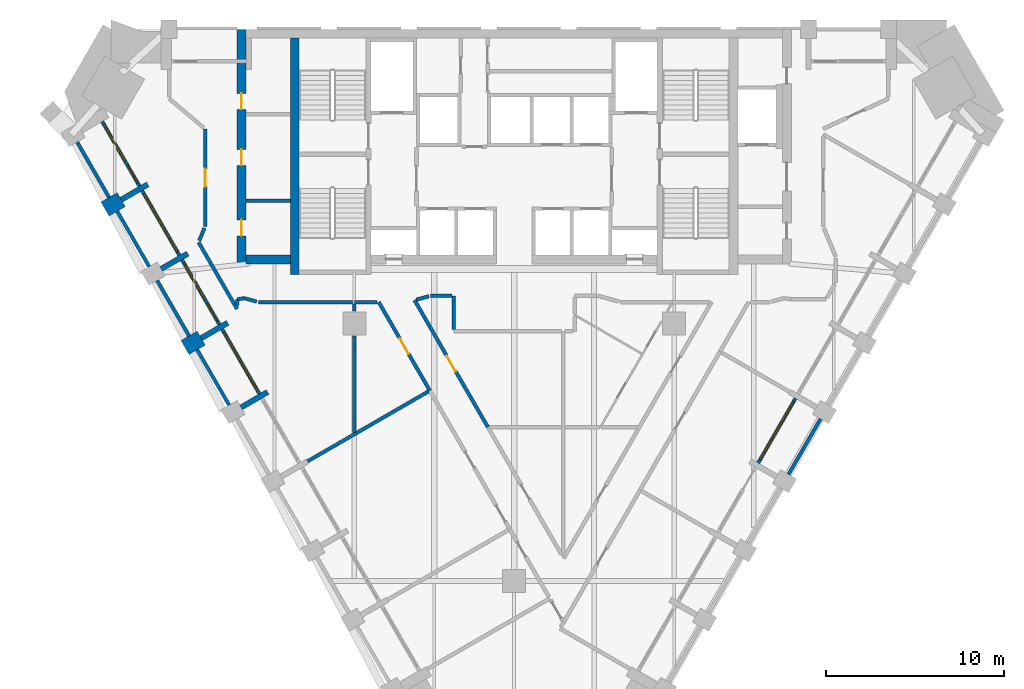
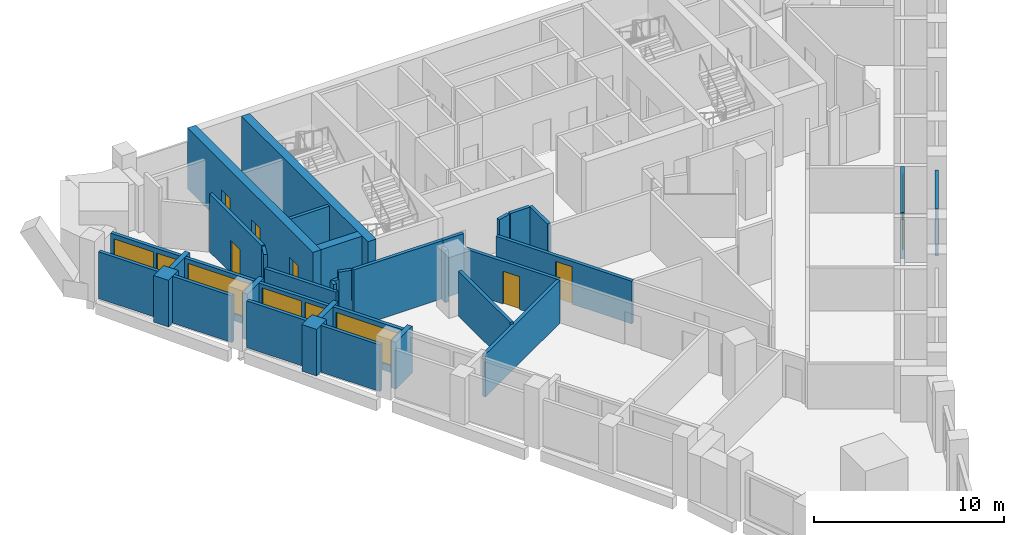
# One storey, part 4 of 9: 36 walls, 8 doors, 5 windows, 13 openings.
"""IFC4 building model written with IfcOpenShell, lengths in metres."""

from ifc_helpers import new_model, si_unit, direction, frame, frame_2d, origin, place, context, subcontext, project, spatial, rectangle, extrude, material, layer, layer_set, type_object, element, fill, save


model = new_model("IFC4")

# Units and contexts
model_context = context("Model", 3, precision=1e-05, world=origin(), true_north=direction((0.0, 1.0)))
body_context = subcontext(model_context, "Body", "Model", "MODEL_VIEW")
ifc_project = project(units=[si_unit("LENGTHUNIT", "METRE"), si_unit("AREAUNIT", "SQUARE_METRE"), si_unit("VOLUMEUNIT", "CUBIC_METRE"), si_unit("PLANEANGLEUNIT", "RADIAN"), si_unit("MASSUNIT", "GRAM", prefix="KILO")], contexts=[model_context])

# Site, building, storey
site_placement = place(None, origin())
site = spatial("IfcSite", under=ifc_project, at=site_placement, CompositionType="ELEMENT")
building_placement = place(site_placement, origin())
building = spatial("IfcBuilding", under=site, at=building_placement, Name="Calabash Gate Tower", CompositionType="ELEMENT")
storey_placement = place(building_placement, frame((0.0, 0.0, 179.699951171875)))
storey = spatial("IfcBuildingStorey", under=building, at=storey_placement, Name="L42", CompositionType="ELEMENT", Elevation=179.699951171875)

# Walls
ifc_material_1 = material(Name="Terracotta brick masonry, exposed face", Category="masonry")
ifc_layer_1 = layer(ifc_material_1, 1.050048828125)
ifc_layer_set_1 = layer_set([ifc_layer_1], Name="Brick end wall 1050")
wall_type_1 = type_object("IfcWallType", Name="Brick end wall 1050", PredefinedType="SOLIDWALL", material=ifc_layer_set_1)
for number, where, z_axis, x_axis, name in (
    (1, (-23.03271484375, 8.93505859375, 0.0), (0.0, 0.0, 1.0), (0.866088799389, 0.499890179513, 0.0), "Brick pier S12 SW0.1"),
    (2, (-17.623291015625, 1.665771484375, 0.0), (0.0, 0.0, 1.0), (-0.866088799389, -0.499890179513, 0.0), "Brick pier S12 SW0.3"),
):
    element("IfcWall", number, at=place(storey_placement, frame(where, z_axis=z_axis, x_axis=x_axis)), inside=storey, type_object=wall_type_1, Name=name, PredefinedType="SOLIDWALL", context=body_context, shape_type="SweptSolid", body=[
        extrude(rectangle(XDim=1.050048828125, YDim=0.89990234375, at=frame_2d((0.52490234375, 0.0))), origin(), (0.0, 0.0, 1.0), 3.0),
    ])
ifc_material_2 = material(Name="Terracotta brick masonry, exposed face", Category="masonry")
ifc_layer_2 = layer(ifc_material_2, 0.300048828125)
ifc_layer_set_2 = layer_set([ifc_layer_2], Name="Brick loggia cheek wall 300")
wall_type_2 = type_object("IfcWallType", Name="Brick loggia cheek wall 300", PredefinedType="SOLIDWALL", material=ifc_layer_set_2)
wall_1_placement = place(storey_placement, frame((-22.123291015625, 9.4599609375, 0.0), z_axis=(0.0, 0.0, 1.0), x_axis=(0.866013532718, 0.500020560727, 0.0)))
element("IfcWall", 3, at=wall_1_placement, inside=storey, type_object=wall_type_2, Name="Loggia cheek S12 SW0.1", PredefinedType="SOLIDWALL", context=body_context, shape_type="SweptSolid", body=[
    extrude(rectangle(XDim=1.72509765625, YDim=0.300048828125, at=frame_2d((0.862548828125, 0.0))), origin(), (0.0, 0.0, 1.0), 3.0),
])
wall_2_placement = place(storey_placement, frame((-19.873291015625, 5.56298828125, 0.0), z_axis=(0.0, 0.0, 1.0), x_axis=(0.866013532718, 0.500020560727, 0.0)))
element("IfcWall", 4, at=wall_2_placement, inside=storey, type_object=wall_type_2, Name="Loggia cheek S12 SW0.2", PredefinedType="SOLIDWALL", context=body_context, shape_type="SweptSolid", body=[
    extrude(rectangle(XDim=1.72509765625, YDim=0.300048828125, at=frame_2d((0.862548828125, 0.0))), origin(), (0.0, 0.0, 1.0), 2.9501953125),
])
wall_3_placement = place(storey_placement, frame((-17.623291015625, 1.665771484375, 0.0), z_axis=(0.0, 0.0, 1.0), x_axis=(0.866013532718, 0.500020560727, 0.0)))
element("IfcWall", 5, at=wall_3_placement, inside=storey, type_object=wall_type_2, Name="Loggia cheek S12 SW0.3", PredefinedType="SOLIDWALL", context=body_context, shape_type="SweptSolid", body=[
    extrude(rectangle(XDim=1.72509765625, YDim=0.300048828125, at=frame_2d((0.862548828125, 0.0))), origin(), (0.0, 0.0, 1.0), 3.0),
])
wall_4_placement = place(storey_placement, frame((-15.373291015625, -2.231201171875, 0.0), z_axis=(0.0, 0.0, 1.0), x_axis=(0.866074815912, 0.499914405916, 0.0)))
element("IfcWall", 6, at=wall_4_placement, inside=storey, type_object=wall_type_2, Name="Loggia cheek S12 SW0.4", PredefinedType="SOLIDWALL", context=body_context, shape_type="SweptSolid", body=[
    extrude(rectangle(XDim=1.724853515625, YDim=0.300048828125, at=frame_2d((0.8623046875, 0.0))), origin(), (0.0, 0.0, 1.0), 3.0),
])
ifc_material_3 = material(Name="Gypsum board on steel studs, mineral wool", Category="steel")
ifc_layer_3 = layer(ifc_material_3, 0.199951171875)
ifc_layer_set_3 = layer_set([ifc_layer_3], Name="Core partition 200 gypsum board")
wall_type_3 = type_object("IfcWallType", Name="Core partition 200 gypsum board", PredefinedType="PARTITIONING", material=ifc_layer_set_3)
wall_5_placement = place(storey_placement, frame((-15.10009765625, 9.402587890625, 0.0), z_axis=(0.0, 0.0, 1.0), x_axis=(1.0, 0.0, 0.0)))
element("IfcWall", 7, at=wall_5_placement, inside=storey, type_object=wall_type_3, Name="Core partition", PredefinedType="PARTITIONING", context=body_context, shape_type="SweptSolid", body=[
    extrude(rectangle(XDim=2.5, YDim=0.199951171875, at=frame_2d((1.25, 0.0))), origin(), (0.0, 0.0, 1.0), 3.72998046875),
])
ifc_material_4 = material(Name="Concrete C70/85", Category="concrete")
ifc_layer_4 = layer(ifc_material_4, 0.5)
ifc_layer_set_4 = layer_set([ifc_layer_4], Name="Core wall 500 Concrete C70/85")
wall_type_4 = type_object("IfcWallType", Name="Core wall 500 Concrete C70/85", PredefinedType="SHEAR", material=ifc_layer_set_4)
wall_6_placement = place(storey_placement, frame((-12.35009765625, 5.252685546875, 0.0), z_axis=(0.0, 0.0, 1.0), x_axis=(0.0, 1.0, 0.0)))
element("IfcWall", 8, at=wall_6_placement, inside=storey, type_object=wall_type_4, Name="Core wall Z3-COLW L42", PredefinedType="SHEAR", context=body_context, shape_type="SweptSolid", body=[
    extrude(rectangle(XDim=13.2998046875, YDim=0.5, at=frame_2d((6.64990234375, 0.0))), origin(), (0.0, 0.0, 1.0), 3.900146484375),
])
wall_7_placement = place(storey_placement, frame((-12.60009765625, 6.1025390625, 0.0), z_axis=(0.0, 0.0, 1.0), x_axis=(-1.0, 0.0, 0.0)))
element("IfcWall", 9, at=wall_7_placement, inside=storey, type_object=wall_type_4, Name="Core wall Z3-SW L42", PredefinedType="SHEAR", context=body_context, shape_type="SweptSolid", body=[
    extrude(rectangle(XDim=2.5, YDim=0.5, at=frame_2d((1.25, 0.0))), origin(), (0.0, 0.0, 1.0), 3.900146484375),
])

# Wall, openings, doors
wall_8_placement = place(storey_placement, frame((-15.35009765625, 5.8525390625, 0.0), z_axis=(0.0, 0.0, 1.0), x_axis=(0.0, 1.0, 0.0)))
wall_8 = element("IfcWall", 10, at=wall_8_placement, inside=storey, type_object=wall_type_4, Name="Core wall Z3-ENDW L42", PredefinedType="SHEAR", context=body_context, shape_type="SweptSolid", body=[
    extrude(rectangle(XDim=13.199951171875, YDim=0.5, at=frame_2d((6.60009765625, 0.0))), origin(), (0.0, 0.0, 1.0), 3.900146484375),
])
opening_1_placement = place(wall_8_placement, frame((1.574951171875, 0.0, 0.0)))
opening_1 = element("IfcOpeningElement", 11, at=opening_1_placement, cuts=wall_8, Name="Opening O4-004", PredefinedType="OPENING", context=body_context, shape_type="SweptSolid", body=[
    extrude(rectangle(XDim=0.89990234375, YDim=2.10009765625, at=frame_2d((0.449951171875, 1.050048828125))), frame((0.0, 0.260009765625, 0.0), z_axis=(0.0, -1.0, 0.0), x_axis=(1.0, 0.0, 0.0)), (0.0, 0.0, 1.0), 0.52001953125),
])
opening_2_placement = place(wall_8_placement, frame((5.5400390625, 0.0, 0.0)))
opening_2 = element("IfcOpeningElement", 12, at=opening_2_placement, cuts=wall_8, Name="Opening O4-005", PredefinedType="OPENING", context=body_context, shape_type="SweptSolid", body=[
    extrude(rectangle(XDim=0.89990234375, YDim=2.10009765625, at=frame_2d((0.449951171875, 1.050048828125))), frame((0.0, 0.260009765625, 0.0), z_axis=(0.0, -1.0, 0.0), x_axis=(1.0, 0.0, 0.0)), (0.0, 0.0, 1.0), 0.52001953125),
])
opening_3_placement = place(wall_8_placement, frame((8.697509765625, 0.0, 0.0)))
opening_3 = element("IfcOpeningElement", 13, at=opening_3_placement, cuts=wall_8, Name="Opening O4-006", PredefinedType="OPENING", context=body_context, shape_type="SweptSolid", body=[
    extrude(rectangle(XDim=0.89990234375, YDim=2.10009765625, at=frame_2d((0.449951171875, 1.050048828125))), frame((0.0, 0.260009765625, 0.0), z_axis=(0.0, -1.0, 0.0), x_axis=(1.0, 0.0, 0.0)), (0.0, 0.0, 1.0), 0.52001953125),
])
ifc_material_5 = material(Name="Steel fire door set with fire-resisting glazing", Category="steel")
door_type_1 = type_object("IfcDoorType", Name="Fire door D06 900x2100 FD60", OperationType="NOTDEFINED", PredefinedType="DOOR", material=ifc_material_5)
door_1_placement = place(opening_1_placement, origin())
door_1 = element("IfcDoor", 14, at=door_1_placement, inside=storey, type_object=door_type_1, Name="Meter Room door", OperationType="SINGLE_SWING_LEFT", OverallHeight=2.10009765625, OverallWidth=0.89990234375, PredefinedType="DOOR", context=body_context, shape_type="SweptSolid", body=[
    extrude(rectangle(XDim=0.89990234375, YDim=2.10009765625, at=frame_2d((0.449951171875, 1.050048828125))), frame((0.0, 0.02490234375, 0.0), z_axis=(0.0, -1.0, 0.0), x_axis=(1.0, 0.0, 0.0)), (0.0, 0.0, 1.0), 0.050048828125),
])
fill(opening_1, door_1)
door_2_placement = place(opening_2_placement, origin())
door_2 = element("IfcDoor", 15, at=door_2_placement, inside=storey, type_object=door_type_1, Name="Men's WC door", OperationType="SINGLE_SWING_LEFT", OverallHeight=2.10009765625, OverallWidth=0.89990234375, PredefinedType="DOOR", context=body_context, shape_type="SweptSolid", body=[
    extrude(rectangle(XDim=0.89990234375, YDim=2.10009765625, at=frame_2d((0.449951171875, 1.050048828125))), frame((0.0, 0.02490234375, 0.0), z_axis=(0.0, -1.0, 0.0), x_axis=(1.0, 0.0, 0.0)), (0.0, 0.0, 1.0), 0.050048828125),
])
fill(opening_2, door_2)
door_3_placement = place(opening_3_placement, origin())
door_3 = element("IfcDoor", 16, at=door_3_placement, inside=storey, type_object=door_type_1, Name="Women's WC door", OperationType="SINGLE_SWING_LEFT", OverallHeight=2.10009765625, OverallWidth=0.89990234375, PredefinedType="DOOR", context=body_context, shape_type="SweptSolid", body=[
    extrude(rectangle(XDim=0.89990234375, YDim=2.10009765625, at=frame_2d((0.449951171875, 1.050048828125))), frame((0.0, 0.02490234375, 0.0), z_axis=(0.0, -1.0, 0.0), x_axis=(1.0, 0.0, 0.0)), (0.0, 0.0, 1.0), 0.050048828125),
])
fill(opening_3, door_3)

# Walls
ifc_material_6 = material(Name="Gypsum board on steel studs, mineral wool", Category="steel")
ifc_layer_5 = layer(ifc_material_6, 0.199951171875)
ifc_layer_set_5 = layer_set([ifc_layer_5], Name="Partition 200 gypsum board EI 60")
wall_type_5 = type_object("IfcWallType", Name="Partition 200 gypsum board EI 60", PredefinedType="PARTITIONING", material=ifc_layer_set_5)
wall_9_placement = place(storey_placement, frame((-11.629638671875, -5.265380859375, 0.0), z_axis=(0.0, 0.0, 1.0), x_axis=(0.865784523432, 0.500416985109, 0.0)))
element("IfcWall", 17, at=wall_9_placement, inside=storey, type_object=wall_type_5, Name="Partition", PredefinedType="PARTITIONING", context=body_context, shape_type="SweptSolid", body=[
    extrude(rectangle(XDim=7.849365234375, YDim=0.199951171875, at=frame_2d((3.9248046875, 0.0))), origin(), (0.0, 0.0, 1.0), 2.74169921875),
])
wall_10_placement = place(storey_placement, frame((-9.001708984375, -3.646484375, 0.0), z_axis=(0.0, 0.0, 1.0), x_axis=(0.000268949741, 0.999999963833, 0.0)))
element("IfcWall", 18, at=wall_10_placement, inside=storey, type_object=wall_type_5, Name="Partition", PredefinedType="PARTITIONING", context=body_context, shape_type="SweptSolid", body=[
    extrude(rectangle(XDim=5.446533203125, YDim=0.199951171875, at=frame_2d((2.72314453125, 0.0))), origin(), (0.0, 0.0, 1.0), 2.884033203125),
])

# Wall, opening, door
wall_11_placement = place(storey_placement, frame((-7.626220703125, 3.699462890625, 0.0), z_axis=(0.0, 0.0, 1.0), x_axis=(0.499998744741, -0.866026128507, 0.0)))
wall_11 = element("IfcWall", 19, at=wall_11_placement, inside=storey, type_object=wall_type_5, Name="Partition", PredefinedType="PARTITIONING", context=body_context, shape_type="SweptSolid", body=[
    extrude(rectangle(XDim=5.76220703125, YDim=0.199951171875, at=frame_2d((2.881103515625, 0.0))), origin(), (0.0, 0.0, 1.0), 2.74169921875),
])
opening_4_placement = place(wall_11_placement, frame((2.381103515625, 0.0, 0.0)))
opening_4 = element("IfcOpeningElement", 20, at=opening_4_placement, cuts=wall_11, Name="Opening 42-44-012", PredefinedType="OPENING", context=body_context, shape_type="SweptSolid", body=[
    extrude(rectangle(XDim=1.0, YDim=2.10009765625, at=frame_2d((0.5, 1.050048828125))), frame((0.0, 0.10986328125, 0.0), z_axis=(0.0, -1.0, 0.0), x_axis=(1.0, 0.0, 0.0)), (0.0, 0.0, 1.0), 0.219970703125),
])
ifc_material_7 = material(Name="Steel fire door set with fire-resisting glazing", Category="steel")
door_type_2 = type_object("IfcDoorType", Name="LD2 Meeting room door 1000x2100", OperationType="NOTDEFINED", PredefinedType="DOOR", material=ifc_material_7)
door_4_placement = place(opening_4_placement, origin())
door_4 = element("IfcDoor", 21, at=door_4_placement, inside=storey, type_object=door_type_2, Name="Meeting room door", OperationType="SINGLE_SWING_LEFT", OverallHeight=2.10009765625, OverallWidth=1.0, PredefinedType="DOOR", context=body_context, shape_type="SweptSolid", body=[
    extrude(rectangle(XDim=1.0, YDim=2.10009765625, at=frame_2d((0.5, 1.050048828125))), frame((0.0, 0.02490234375, 0.0), z_axis=(0.0, -1.0, 0.0), x_axis=(1.0, 0.0, 0.0)), (0.0, 0.0, 1.0), 0.050048828125),
])
fill(opening_4, door_4)

# Walls
wall_12_placement = place(storey_placement, frame((-3.402099609375, 4.050537109375, 0.0), z_axis=(0.0, 0.0, 1.0), x_axis=(0.001028938362, -0.999999470643, 0.0)))
element("IfcWall", 22, at=wall_12_placement, inside=storey, type_object=wall_type_5, Name="Partition", PredefinedType="PARTITIONING", context=body_context, shape_type="SweptSolid", body=[
    extrude(rectangle(XDim=1.898193359375, YDim=0.199951171875, at=frame_2d((0.94921875, 0.0))), origin(), (0.0, 0.0, 1.0), 3.72998046875),
])
wall_13_placement = place(storey_placement, frame((-9.001708984375, 3.599609375, 0.0), z_axis=(0.0, 0.0, 1.0), x_axis=(0.003665216676, -0.999993283071, 0.0)))
element("IfcWall", 23, at=wall_13_placement, inside=storey, type_object=wall_type_5, Name="Partition", PredefinedType="PARTITIONING", context=body_context, shape_type="SweptSolid", body=[
    extrude(rectangle(XDim=0.399658203125, YDim=0.199951171875, at=frame_2d((0.19970703125, 0.0))), origin(), (0.0, 0.0, 1.0), 3.33154296875),
])
wall_14_placement = place(storey_placement, frame((-17.7666015625, 7.06298828125, 0.0), z_axis=(0.0, 0.0, 1.0), x_axis=(0.500011878817, -0.866018545437, 0.0)))
element("IfcWall", 24, at=wall_14_placement, inside=storey, type_object=wall_type_5, Name="Partition", PredefinedType="PARTITIONING", context=body_context, shape_type="SweptSolid", body=[
    extrude(rectangle(XDim=4.33251953125, YDim=0.199951171875, at=frame_2d((2.166259765625, 0.0))), origin(), (0.0, 0.0, 1.0), 2.9501953125),
])
wall_15_placement = place(storey_placement, frame((-14.39990234375, 3.699462890625, 0.0), z_axis=(0.0, 0.0, 1.0), x_axis=(0.999999963202, -0.000271284522, 0.0)))
element("IfcWall", 25, at=wall_15_placement, inside=storey, type_object=wall_type_5, Name="Partition", PredefinedType="PARTITIONING", context=body_context, shape_type="SweptSolid", body=[
    extrude(rectangle(XDim=5.399658203125, YDim=0.199951171875, at=frame_2d((2.69970703125, 0.0))), origin(), (0.0, 0.0, 1.0), 3.72998046875),
])
wall_16_placement = place(storey_placement, frame((-9.0, 3.697998046875, 0.0), z_axis=(0.0, 0.0, 1.0), x_axis=(0.999999338651, 0.001150085496, 0.0)))
element("IfcWall", 26, at=wall_16_placement, inside=storey, type_object=wall_type_5, Name="Partition", PredefinedType="PARTITIONING", context=body_context, shape_type="SweptSolid", body=[
    extrude(rectangle(XDim=1.273681640625, YDim=0.199951171875, at=frame_2d((0.63671875, 0.0))), origin(), (0.0, 0.0, 1.0), 3.72998046875),
])
wall_17_placement = place(storey_placement, frame((-15.193359375, 3.91455078125, 0.0), z_axis=(0.0, 0.0, 1.0), x_axis=(0.965137431954, -0.26174364833, 0.0)))
element("IfcWall", 27, at=wall_17_placement, inside=storey, type_object=wall_type_5, Name="Partition", PredefinedType="PARTITIONING", context=body_context, shape_type="SweptSolid", body=[
    extrude(rectangle(XDim=0.721923828125, YDim=0.199951171875, at=frame_2d((0.36083984375, 0.0))), origin(), (0.0, 0.0, 1.0), 3.72998046875),
])

# Wall, opening, door
wall_18_placement = place(storey_placement, frame((-5.6083984375, 3.805908203125, 0.0), z_axis=(0.0, 0.0, 1.0), x_axis=(0.500189366784, -0.865916045212, 0.0)))
wall_18 = element("IfcWall", 28, at=wall_18_placement, inside=storey, type_object=wall_type_5, Name="Partition", PredefinedType="PARTITIONING", context=body_context, shape_type="SweptSolid", body=[
    extrude(rectangle(XDim=8.252197265625, YDim=0.199951171875, at=frame_2d((4.1259765625, 0.0))), origin(), (0.0, 0.0, 1.0), 2.74169921875),
])
opening_5_placement = place(wall_18_placement, frame((3.62548828125, 0.0, 0.0)))
opening_5 = element("IfcOpeningElement", 29, at=opening_5_placement, cuts=wall_18, Name="Opening 42-44-006", PredefinedType="OPENING", context=body_context, shape_type="SweptSolid", body=[
    extrude(rectangle(XDim=1.0, YDim=2.39990234375, at=frame_2d((0.5, 1.199951171875))), frame((0.0, 0.10986328125, 0.0), z_axis=(0.0, -1.0, 0.0), x_axis=(1.0, 0.0, 0.0)), (0.0, 0.0, 1.0), 0.219970703125),
])
ifc_material_8 = material(Name="Painted timber door", Category="wood")
door_type_3 = type_object("IfcDoorType", Name="OD2 Glazed office door 1000x2400", OperationType="NOTDEFINED", PredefinedType="DOOR", material=ifc_material_8)
door_5_placement = place(opening_5_placement, origin())
door_5 = element("IfcDoor", 30, at=door_5_placement, inside=storey, type_object=door_type_3, Name="Glazed office door", OperationType="SINGLE_SWING_LEFT", OverallHeight=2.39990234375, OverallWidth=1.0, PredefinedType="DOOR", context=body_context, shape_type="SweptSolid", body=[
    extrude(rectangle(XDim=1.0, YDim=2.39990234375, at=frame_2d((0.5, 1.199951171875))), frame((0.0, 0.02490234375, 0.0), z_axis=(0.0, -1.0, 0.0), x_axis=(1.0, 0.0, 0.0)), (0.0, 0.0, 1.0), 0.050048828125),
])
fill(opening_5, door_5)

# Walls
wall_19_placement = place(storey_placement, frame((-15.60009765625, 3.510498046875, 0.0), z_axis=(0.0, 0.0, 1.0), x_axis=(0.001429591105, 0.999998978134, 0.0)))
element("IfcWall", 31, at=wall_19_placement, inside=storey, type_object=wall_type_5, Name="Partition", PredefinedType="PARTITIONING", context=body_context, shape_type="SweptSolid", body=[
    extrude(rectangle(XDim=0.341552734375, YDim=0.199951171875, at=frame_2d((0.1708984375, 0.0))), origin(), (0.0, 0.0, 1.0), 3.2822265625),
])
wall_20_placement = place(storey_placement, frame((-15.599609375, 3.85205078125, 0.0), z_axis=(0.0, 0.0, 1.0), x_axis=(0.988371697651, 0.152057184254, 0.0)))
element("IfcWall", 32, at=wall_20_placement, inside=storey, type_object=wall_type_5, Name="Partition", PredefinedType="PARTITIONING", context=body_context, shape_type="SweptSolid", body=[
    extrude(rectangle(XDim=0.4111328125, YDim=0.199951171875, at=frame_2d((0.20556640625, 0.0))), origin(), (0.0, 0.0, 1.0), 3.2822265625),
])
wall_21_placement = place(storey_placement, frame((-5.511962890625, 3.83203125, 0.0), z_axis=(0.0, 0.0, 1.0), x_axis=(0.965127638193, 0.261779758568, 0.0)))
element("IfcWall", 33, at=wall_21_placement, inside=storey, type_object=wall_type_5, Name="Partition", PredefinedType="PARTITIONING", context=body_context, shape_type="SweptSolid", body=[
    extrude(rectangle(XDim=0.741455078125, YDim=0.199951171875, at=frame_2d((0.37060546875, 0.0))), origin(), (0.0, 0.0, 1.0), 3.72998046875),
])
wall_22_placement = place(storey_placement, frame((-4.699951171875, 4.052490234375, 0.0), z_axis=(0.0, 0.0, 1.0), x_axis=(0.999998982503, -0.001426532072, 0.0)))
element("IfcWall", 34, at=wall_22_placement, inside=storey, type_object=wall_type_5, Name="Partition", PredefinedType="PARTITIONING", context=body_context, shape_type="SweptSolid", body=[
    extrude(rectangle(XDim=1.197998046875, YDim=0.199951171875, at=frame_2d((0.59912109375, 0.0))), origin(), (0.0, 0.0, 1.0), 3.72998046875),
])
wall_23_placement = place(storey_placement, frame((-17.728515625, 7.155517578125, 0.0), z_axis=(0.0, 0.0, 1.0), x_axis=(0.380379071784, 0.924830666527, 0.0)))
element("IfcWall", 35, at=wall_23_placement, inside=storey, type_object=wall_type_5, Name="Partition", PredefinedType="PARTITIONING", context=body_context, shape_type="SweptSolid", body=[
    extrude(rectangle(XDim=0.761962890625, YDim=0.199951171875, at=frame_2d((0.380859375, 0.0))), origin(), (0.0, 0.0, 1.0), 3.72998046875),
])

# Wall, opening, door
wall_24_placement = place(storey_placement, frame((-17.400390625, 7.95263671875, 0.0), z_axis=(0.0, 0.0, 1.0), x_axis=(0.0, 1.0, 0.0)))
wall_24 = element("IfcWall", 36, at=wall_24_placement, inside=storey, type_object=wall_type_5, Name="Partition", PredefinedType="PARTITIONING", context=body_context, shape_type="SweptSolid", body=[
    extrude(rectangle(XDim=5.499755859375, YDim=0.199951171875, at=frame_2d((2.75, 0.0))), origin(), (0.0, 0.0, 1.0), 3.72998046875),
])
opening_6_placement = place(wall_24_placement, frame((2.249755859375, 0.0, 0.0)))
opening_6 = element("IfcOpeningElement", 37, at=opening_6_placement, cuts=wall_24, Name="Opening 42-44-013", PredefinedType="OPENING", context=body_context, shape_type="SweptSolid", body=[
    extrude(rectangle(XDim=1.0, YDim=2.10009765625, at=frame_2d((0.5, 1.050048828125))), frame((0.0, 0.10986328125, 0.0), z_axis=(0.0, -1.0, 0.0), x_axis=(1.0, 0.0, 0.0)), (0.0, 0.0, 1.0), 0.219970703125),
])
door_6_placement = place(opening_6_placement, origin())
door_6 = element("IfcDoor", 38, at=door_6_placement, inside=storey, type_object=door_type_2, Name="Meeting room door", OperationType="SINGLE_SWING_RIGHT", OverallHeight=2.10009765625, OverallWidth=1.0, PredefinedType="DOOR", context=body_context, shape_type="SweptSolid", body=[
    extrude(rectangle(XDim=1.0, YDim=2.10009765625, at=frame_2d((0.5, 1.050048828125))), frame((0.0, 0.02490234375, 0.0), z_axis=(0.0, -1.0, 0.0), x_axis=(1.0, 0.0, 0.0)), (0.0, 0.0, 1.0), 0.050048828125),
])
fill(opening_6, door_6)

# Walls
ifc_material_9 = material(Name="Terracotta brick masonry, perforated", Category="masonry")
ifc_layer_6 = layer(ifc_material_9, 0.199951171875)
ifc_layer_set_6 = layer_set([ifc_layer_6], Name="Terracotta jaali screen B")
wall_type_6 = type_object("IfcWallType", Name="Terracotta jaali screen B", PredefinedType="SOLIDWALL", material=ifc_layer_set_6)
wall_25_placement = place(storey_placement, frame((-24.60302734375, 12.705078125, 0.0), z_axis=(0.0, 0.0, 1.0), x_axis=(0.499982693035, -0.866035395735, 0.0)))
element("IfcWall", 39, at=wall_25_placement, inside=storey, type_object=wall_type_6, Name="SCREEN B S12 SW0.1", PredefinedType="SOLIDWALL", context=body_context, shape_type="SweptSolid", body=[
    extrude(rectangle(XDim=3.600341796875, YDim=0.199951171875, at=frame_2d((1.80029296875, 0.0))), origin(), (0.0, 0.0, 1.0), 3.0),
])
for number, where, z_axis, x_axis, name in (
    (40, (-22.35302734375, 8.807861328125, 0.0), (0.0, 0.0, 1.0), (0.500012057535, -0.866018442252, 0.0), "SCREEN B S12 SW0.2"),
    (41, (-20.10302734375, 4.91064453125, 0.0), (0.0, 0.0, 1.0), (0.500012057535, -0.866018442252, 0.0), "SCREEN B S12 SW0.3"),
    (42, (-17.85302734375, 1.013671875, 0.0), (0.0, 0.0, 1.0), (0.500012057535, -0.866018442252, 0.0), "SCREEN B S12 SW0.4"),
):
    element("IfcWall", number, at=place(storey_placement, frame(where, z_axis=z_axis, x_axis=x_axis)), inside=storey, type_object=wall_type_6, Name=name, PredefinedType="SOLIDWALL", context=body_context, shape_type="SweptSolid", body=[
        extrude(rectangle(XDim=3.60009765625, YDim=0.199951171875, at=frame_2d((1.800048828125, 0.0))), origin(), (0.0, 0.0, 1.0), 3.0),
    ])
wall_26_placement = place(storey_placement, frame((15.44677734375, -6.001220703125, 0.0), z_axis=(0.0, 0.0, 1.0), x_axis=(0.499961193289, 0.866047807691, 0.0)))
element("IfcWall", 43, at=wall_26_placement, inside=storey, type_object=wall_type_6, Name="SCREEN B S12 SE4.4", PredefinedType="SOLIDWALL", context=body_context, shape_type="SweptSolid", body=[
    extrude(rectangle(XDim=3.599853515625, YDim=0.199951171875, at=frame_2d((1.7998046875, 0.0))), origin(), (0.0, 0.0, 1.0), 3.0),
])

# Wall, openings, door, window
ifc_material_10 = material(Name="Aluminium framed window wall with insulated spandrel", Category="aluminium")
ifc_layer_7 = layer(ifc_material_10, 0.199951171875)
ifc_layer_set_7 = layer_set([ifc_layer_7], Name="Window wall 200")
wall_type_7 = type_object("IfcWallType", Name="Window wall 200", PredefinedType="ELEMENTEDWALL", material=ifc_layer_set_7)
wall_27_placement = place(storey_placement, frame((-23.194091796875, 13.86474609375, 0.0), z_axis=(0.0, 0.0, 1.0), x_axis=(0.49998411664, -0.866034573852, 0.0)))
wall_27 = element("IfcWall", 44, at=wall_27_placement, inside=storey, type_object=wall_type_7, Name="Window wall S12 SW0.1", PredefinedType="ELEMENTEDWALL", context=body_context, shape_type="SweptSolid", body=[
    extrude(rectangle(XDim=4.199951171875, YDim=0.199951171875, at=frame_2d((2.10009765625, 0.0))), origin(), (0.0, 0.0, 1.0), 3.0),
])
opening_7_placement = place(wall_27_placement, frame((0.199951171875, 0.0, 0.449951171875)))
opening_7 = element("IfcOpeningElement", 45, at=opening_7_placement, cuts=wall_27, Name="Opening OW1", PredefinedType="OPENING", context=body_context, shape_type="SweptSolid", body=[
    extrude(rectangle(XDim=2.39990234375, YDim=2.25, at=frame_2d((1.199951171875, 1.125))), frame((0.0, 0.10986328125, 0.0), z_axis=(0.0, -1.0, 0.0), x_axis=(1.0, 0.0, 0.0)), (0.0, 0.0, 1.0), 0.219970703125),
])
opening_8_placement = place(wall_27_placement, frame((2.800048828125, 0.0, 0.0)))
opening_8 = element("IfcOpeningElement", 46, at=opening_8_placement, cuts=wall_27, Name="Opening O4-025", PredefinedType="OPENING", context=body_context, shape_type="SweptSolid", body=[
    extrude(rectangle(XDim=1.199951171875, YDim=2.699951171875, at=frame_2d((0.60009765625, 1.35009765625))), frame((0.0, 0.10986328125, 0.0), z_axis=(0.0, -1.0, 0.0), x_axis=(1.0, 0.0, 0.0)), (0.0, 0.0, 1.0), 0.219970703125),
])
ifc_material_11 = material(Name="Anodised aluminium frame, bronze finish, impact-rated laminated clear glazing", Category="aluminium")
door_type_4 = type_object("IfcDoorType", Name="Loggia door DO1 1200x2700", OperationType="SLIDING_TO_LEFT", PredefinedType="DOOR", material=ifc_material_11)
door_7_placement = place(opening_8_placement, origin())
door_7 = element("IfcDoor", 47, at=door_7_placement, inside=storey, type_object=door_type_4, Name="Loggia door S12 SW0.1", OperationType="SINGLE_SWING_LEFT", OverallHeight=2.699951171875, OverallWidth=1.199951171875, PredefinedType="DOOR", context=body_context, shape_type="SweptSolid", body=[
    extrude(rectangle(XDim=1.199951171875, YDim=2.699951171875, at=frame_2d((0.60009765625, 1.35009765625))), frame((0.0, 0.02490234375, 0.0), z_axis=(0.0, -1.0, 0.0), x_axis=(1.0, 0.0, 0.0)), (0.0, 0.0, 1.0), 0.050048828125),
])
fill(opening_8, door_7)
ifc_material_12 = material(Name="Anodised aluminium frame, bronze finish, impact-rated laminated clear glazing", Category="aluminium")
window_type_1 = type_object("IfcWindowType", Name="Window OW1 2400x2250", PartitioningType="DOUBLE_PANEL_VERTICAL", PredefinedType="WINDOW", material=ifc_material_12)
window_1_placement = place(opening_7_placement, origin())
window_1 = element("IfcWindow", 48, at=window_1_placement, inside=storey, type_object=window_type_1, Name="Window OW1 S12 SW0.1", OverallHeight=2.25, OverallWidth=2.39990234375, PartitioningType="SINGLE_PANEL", PredefinedType="WINDOW", context=body_context, shape_type="SweptSolid", body=[
    extrude(rectangle(XDim=2.39990234375, YDim=2.25, at=frame_2d((1.199951171875, 1.125))), frame((0.0, 0.030029296875, 0.0), z_axis=(0.0, -1.0, 0.0), x_axis=(1.0, 0.0, 0.0)), (0.0, 0.0, 1.0), 0.06005859375),
])
fill(opening_7, window_1)

# Wall, opening, window
wall_28_placement = place(storey_placement, frame((-20.944091796875, 9.9677734375, 0.0), z_axis=(0.0, 0.0, 1.0), x_axis=(0.499958946799, -0.866049104564, 0.0)))
wall_28 = element("IfcWall", 49, at=wall_28_placement, inside=storey, type_object=wall_type_7, Name="Window wall S12 SW0.2", PredefinedType="ELEMENTEDWALL", context=body_context, shape_type="SweptSolid", body=[
    extrude(rectangle(XDim=4.199951171875, YDim=0.199951171875, at=frame_2d((2.10009765625, 0.0))), origin(), (0.0, 0.0, 1.0), 2.9736328125),
])
opening_9_placement = place(wall_28_placement, frame((0.199951171875, 0.0, 0.449951171875)))
opening_9 = element("IfcOpeningElement", 50, at=opening_9_placement, cuts=wall_28, Name="Opening OW2", PredefinedType="OPENING", context=body_context, shape_type="SweptSolid", body=[
    extrude(rectangle(XDim=3.800048828125, YDim=2.25, at=frame_2d((1.89990234375, 1.125))), frame((0.0, 0.10986328125, 0.0), z_axis=(0.0, -1.0, 0.0), x_axis=(1.0, 0.0, 0.0)), (0.0, 0.0, 1.0), 0.219970703125),
])
ifc_material_13 = material(Name="Anodised aluminium frame, bronze finish, impact-rated laminated clear glazing", Category="aluminium")
window_type_2 = type_object("IfcWindowType", Name="Window OW2 3800x2250", PartitioningType="TRIPLE_PANEL_VERTICAL", PredefinedType="WINDOW", material=ifc_material_13)
window_2_placement = place(opening_9_placement, origin())
window_2 = element("IfcWindow", 51, at=window_2_placement, inside=storey, type_object=window_type_2, Name="Window OW2 S12 SW0.2", OverallHeight=2.25, OverallWidth=3.800048828125, PartitioningType="SINGLE_PANEL", PredefinedType="WINDOW", context=body_context, shape_type="SweptSolid", body=[
    extrude(rectangle(XDim=3.800048828125, YDim=2.25, at=frame_2d((1.89990234375, 1.125))), frame((0.0, 0.030029296875, 0.0), z_axis=(0.0, -1.0, 0.0), x_axis=(1.0, 0.0, 0.0)), (0.0, 0.0, 1.0), 0.06005859375),
])
fill(opening_9, window_2)

# Wall, openings, door, window
wall_29_placement = place(storey_placement, frame((-18.694091796875, 6.070556640625, 0.0), z_axis=(0.0, 0.0, 1.0), x_axis=(0.49998411664, -0.866034573852, 0.0)))
wall_29 = element("IfcWall", 52, at=wall_29_placement, inside=storey, type_object=wall_type_7, Name="Window wall S12 SW0.3", PredefinedType="ELEMENTEDWALL", context=body_context, shape_type="SweptSolid", body=[
    extrude(rectangle(XDim=4.199951171875, YDim=0.199951171875, at=frame_2d((2.10009765625, 0.0))), origin(), (0.0, 0.0, 1.0), 2.9501953125),
])
opening_10_placement = place(wall_29_placement, frame((0.199951171875, 0.0, 0.449951171875)))
opening_10 = element("IfcOpeningElement", 53, at=opening_10_placement, cuts=wall_29, Name="Opening OW1", PredefinedType="OPENING", context=body_context, shape_type="SweptSolid", body=[
    extrude(rectangle(XDim=2.39990234375, YDim=2.25, at=frame_2d((1.199951171875, 1.125))), frame((0.0, 0.10986328125, 0.0), z_axis=(0.0, -1.0, 0.0), x_axis=(1.0, 0.0, 0.0)), (0.0, 0.0, 1.0), 0.219970703125),
])
opening_11_placement = place(wall_29_placement, frame((2.800048828125, 0.0, 0.0)))
opening_11 = element("IfcOpeningElement", 54, at=opening_11_placement, cuts=wall_29, Name="Opening O4-026", PredefinedType="OPENING", context=body_context, shape_type="SweptSolid", body=[
    extrude(rectangle(XDim=1.199951171875, YDim=2.699951171875, at=frame_2d((0.60009765625, 1.35009765625))), frame((0.0, 0.10986328125, 0.0), z_axis=(0.0, -1.0, 0.0), x_axis=(1.0, 0.0, 0.0)), (0.0, 0.0, 1.0), 0.219970703125),
])
door_8_placement = place(opening_11_placement, origin())
door_8 = element("IfcDoor", 55, at=door_8_placement, inside=storey, type_object=door_type_4, Name="Loggia door S12 SW0.3", OperationType="SINGLE_SWING_LEFT", OverallHeight=2.699951171875, OverallWidth=1.199951171875, PredefinedType="DOOR", context=body_context, shape_type="SweptSolid", body=[
    extrude(rectangle(XDim=1.199951171875, YDim=2.699951171875, at=frame_2d((0.60009765625, 1.35009765625))), frame((0.0, 0.02490234375, 0.0), z_axis=(0.0, -1.0, 0.0), x_axis=(1.0, 0.0, 0.0)), (0.0, 0.0, 1.0), 0.050048828125),
])
fill(opening_11, door_8)
window_3_placement = place(opening_10_placement, origin())
window_3 = element("IfcWindow", 56, at=window_3_placement, inside=storey, type_object=window_type_1, Name="Window OW1 S12 SW0.3", OverallHeight=2.25, OverallWidth=2.39990234375, PartitioningType="SINGLE_PANEL", PredefinedType="WINDOW", context=body_context, shape_type="SweptSolid", body=[
    extrude(rectangle(XDim=2.39990234375, YDim=2.25, at=frame_2d((1.199951171875, 1.125))), frame((0.0, 0.030029296875, 0.0), z_axis=(0.0, -1.0, 0.0), x_axis=(1.0, 0.0, 0.0)), (0.0, 0.0, 1.0), 0.06005859375),
])
fill(opening_10, window_3)

# Wall, opening, window
wall_30_placement = place(storey_placement, frame((-16.444091796875, 2.17333984375, 0.0), z_axis=(0.0, 0.0, 1.0), x_axis=(0.49998411664, -0.866034573852, 0.0)))
wall_30 = element("IfcWall", 57, at=wall_30_placement, inside=storey, type_object=wall_type_7, Name="Window wall S12 SW0.4", PredefinedType="ELEMENTEDWALL", context=body_context, shape_type="SweptSolid", body=[
    extrude(rectangle(XDim=4.199951171875, YDim=0.199951171875, at=frame_2d((2.10009765625, 0.0))), origin(), (0.0, 0.0, 1.0), 3.0),
])
opening_12_placement = place(wall_30_placement, frame((0.199951171875, 0.0, 0.449951171875)))
opening_12 = element("IfcOpeningElement", 58, at=opening_12_placement, cuts=wall_30, Name="Opening OW2", PredefinedType="OPENING", context=body_context, shape_type="SweptSolid", body=[
    extrude(rectangle(XDim=3.800048828125, YDim=2.25, at=frame_2d((1.89990234375, 1.125))), frame((0.0, 0.10986328125, 0.0), z_axis=(0.0, -1.0, 0.0), x_axis=(1.0, 0.0, 0.0)), (0.0, 0.0, 1.0), 0.219970703125),
])
window_4_placement = place(opening_12_placement, origin())
window_4 = element("IfcWindow", 59, at=window_4_placement, inside=storey, type_object=window_type_2, Name="Window OW2 S12 SW0.4", OverallHeight=2.25, OverallWidth=3.800048828125, PartitioningType="SINGLE_PANEL", PredefinedType="WINDOW", context=body_context, shape_type="SweptSolid", body=[
    extrude(rectangle(XDim=3.800048828125, YDim=2.25, at=frame_2d((1.89990234375, 1.125))), frame((0.0, 0.030029296875, 0.0), z_axis=(0.0, -1.0, 0.0), x_axis=(1.0, 0.0, 0.0)), (0.0, 0.0, 1.0), 0.06005859375),
])
fill(opening_12, window_4)

wall_31_placement = place(storey_placement, frame((13.73779296875, -5.361083984375, 0.0), z_axis=(0.0, 0.0, 1.0), x_axis=(0.500002543286, 0.866023935413, 0.0)))
wall_31 = element("IfcWall", 60, at=wall_31_placement, inside=storey, type_object=wall_type_7, Name="Window wall S12 SE4.4", PredefinedType="ELEMENTEDWALL", context=body_context, shape_type="SweptSolid", body=[
    extrude(rectangle(XDim=4.2001953125, YDim=0.199951171875, at=frame_2d((2.10009765625, 0.0))), origin(), (0.0, 0.0, 1.0), 3.0),
])
opening_13_placement = place(wall_31_placement, frame((0.199951171875, 0.0, 0.449951171875)))
opening_13 = element("IfcOpeningElement", 61, at=opening_13_placement, cuts=wall_31, Name="Opening OW2", PredefinedType="OPENING", context=body_context, shape_type="SweptSolid", body=[
    extrude(rectangle(XDim=3.800048828125, YDim=2.25, at=frame_2d((1.89990234375, 1.125))), frame((0.0, 0.10986328125, 0.0), z_axis=(0.0, -1.0, 0.0), x_axis=(1.0, 0.0, 0.0)), (0.0, 0.0, 1.0), 0.219970703125),
])
window_5_placement = place(opening_13_placement, origin())
window_5 = element("IfcWindow", 62, at=window_5_placement, inside=storey, type_object=window_type_2, Name="Window OW2 S12 SE4.4", OverallHeight=2.25, OverallWidth=3.800048828125, PartitioningType="SINGLE_PANEL", PredefinedType="WINDOW", context=body_context, shape_type="SweptSolid", body=[
    extrude(rectangle(XDim=3.800048828125, YDim=2.25, at=frame_2d((1.89990234375, 1.125))), frame((0.0, 0.030029296875, 0.0), z_axis=(0.0, -1.0, 0.0), x_axis=(1.0, 0.0, 0.0)), (0.0, 0.0, 1.0), 0.06005859375),
])
fill(opening_13, window_5)

save(model, "model.ifc")
